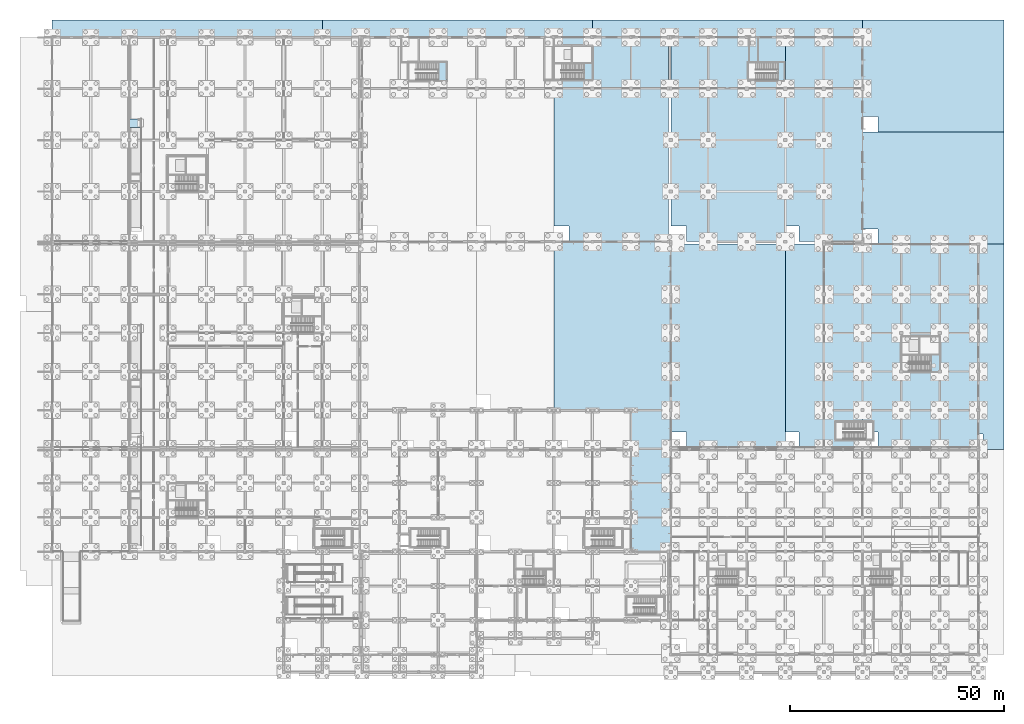
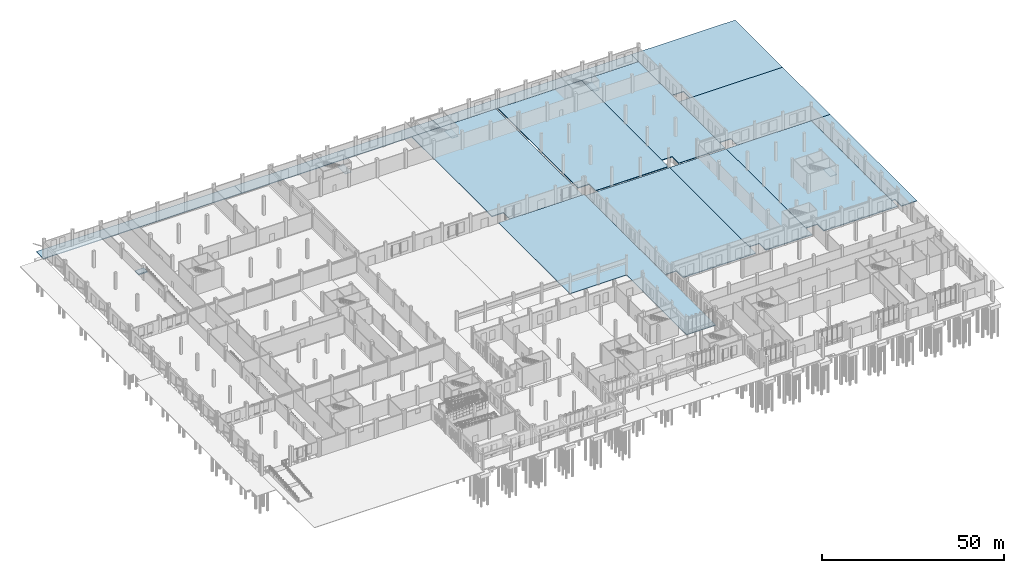
# One storey, part 51 of 99: 18 slabs, 5 elements without a shape of their own.
"""IFC4 building model written with IfcOpenShell, lengths in metres."""

import ifcopenshell
import ifcopenshell.guid

model = None  # the IFC model being written
_history = None  # IfcOwnerHistory: only IFC2X3 demands one
_inside = {}  # id of a spatial element -> (the spatial element, [elements in it])
_under = {}  # id of a project, library or spatial element -> (it, [spatial elements below it])
_declared = {}  # id of a project -> (the project, [libraries it declares])
_typed = {}  # id of a type object -> (the type object, [elements of that type])
_made_of = {}  # id of a material, layer set ... -> (it, [elements and type objects made of it])


def new_model(schema):
    """Start an empty IFC model of exactly this schema.

    Asked for "IFC4X3", IfcOpenShell would pick the latest addendum, in which some entities
    have other attributes; the version numbers below select the first issue.
    IFC2X3 requires an IfcOwnerHistory on every rooted entity: one is made here for all.
    """
    global model, _history
    if schema == "IFC4X3":
        model = ifcopenshell.file(schema_version=(4, 3, 0, 0))
    else:
        model = ifcopenshell.file(schema=schema)
    _inside.clear()
    _under.clear()
    _declared.clear()
    _typed.clear()
    _made_of.clear()
    _history = None
    if model.schema == "IFC2X3":
        org = make("IfcOrganization", Name="unknown")
        user = make(
            "IfcPersonAndOrganization",
            ThePerson=make("IfcPerson", FamilyName="unknown"),
            TheOrganization=org,
        )
        app = make(
            "IfcApplication",
            ApplicationDeveloper=org,
            Version="unknown",
            ApplicationFullName="unknown",
            ApplicationIdentifier="unknown",
        )
        _history = make(
            "IfcOwnerHistory",
            OwningUser=user,
            OwningApplication=app,
            ChangeAction="ADDED",
            CreationDate=0,
        )
    return model


def make(cls, **values):
    """One entity of the class cls with the attributes given. An attribute that is None is left unset."""
    return model.create_entity(
        cls, **{name: value for name, value in values.items() if value is not None}
    )


def rooted(cls, **values):
    """An entity with a GlobalId (a new one), such as an element, a storey or a relation."""
    return make(cls, GlobalId=ifcopenshell.guid.new(), OwnerHistory=_history, **values)


def si_unit(unit_type, name, prefix=None):
    """IfcSIUnit, for example si_unit("LENGTHUNIT", "METRE", prefix="MILLI")."""
    return make("IfcSIUnit", UnitType=unit_type, Prefix=prefix, Name=name)


def assignment(units):
    """IfcUnitAssignment: the units of a project."""
    return None if units is None else make("IfcUnitAssignment", Units=units)


def point(xyz):
    """IfcCartesianPoint."""
    return None if xyz is None else make("IfcCartesianPoint", Coordinates=xyz)


def direction(xyz):
    """IfcDirection."""
    return None if xyz is None else make("IfcDirection", DirectionRatios=xyz)


def frame(location, z_axis=None, x_axis=None):
    """IfcAxis2Placement3D, a coordinate frame: its origin and axes. An axis left out is left unset."""
    return make(
        "IfcAxis2Placement3D",
        Location=point(location),
        Axis=direction(z_axis),
        RefDirection=direction(x_axis),
    )


def origin():
    """The frame at (0, 0, 0) with its axes left unset."""
    return frame((0.0, 0.0, 0.0))


def place(relative_to, where):
    """IfcLocalPlacement: puts the frame where relative to a parent placement (None: the world)."""
    return make(
        "IfcLocalPlacement", PlacementRelTo=relative_to, RelativePlacement=where
    )


def context(
    kind, dimensions, precision=None, world=None, true_north=None, identifier=None
):
    """IfcGeometricRepresentationContext, for example the 3D "Model" context."""
    return make(
        "IfcGeometricRepresentationContext",
        ContextIdentifier=identifier,
        ContextType=kind,
        CoordinateSpaceDimension=dimensions,
        Precision=precision,
        WorldCoordinateSystem=world,
        TrueNorth=true_north,
    )


def subcontext(parent, identifier, kind, view, scale=None):
    """IfcGeometricRepresentationSubContext, for example "Body" below "Model"."""
    return make(
        "IfcGeometricRepresentationSubContext",
        ContextIdentifier=identifier,
        ContextType=kind,
        ParentContext=parent,
        TargetScale=scale,
        TargetView=view,
    )


def project(units=None, contexts=None):
    """IfcProject with its units and contexts."""
    return rooted(
        "IfcProject",
        Name="project",
        RepresentationContexts=contexts,
        UnitsInContext=assignment(units),
    )


def spatial(cls, under=None, at=None, **own):
    """A site, building, storey or space (cls), placed at a placement, below another one or the project."""
    s = rooted(cls, ObjectPlacement=at, **own)
    if under is not None:
        _under.setdefault(under.id(), (under, []))[1].append(s)
    return s


def polyline(points):
    """IfcPolyline through the points."""
    return make("IfcPolyline", Points=[point(p) for p in points])


def outline(outer, holes=None, kind="AREA"):
    """IfcArbitraryClosedProfileDef: a profile drawn as a closed curve; with holes, ...WithVoids."""
    if holes is None:
        return make("IfcArbitraryClosedProfileDef", ProfileType=kind, OuterCurve=outer)
    return make(
        "IfcArbitraryProfileDefWithVoids",
        ProfileType=kind,
        OuterCurve=outer,
        InnerCurves=holes,
    )


def extrude(swept, where, along, depth):
    """IfcExtrudedAreaSolid: the profile swept, set in the frame where, extruded along a direction by depth."""
    return make(
        "IfcExtrudedAreaSolid",
        SweptArea=swept,
        Position=where,
        ExtrudedDirection=direction(along),
        Depth=depth,
    )


def shape(context_of_items, identifier, shape_type, items):
    """IfcShapeRepresentation: the items that make up one representation, for example the "Body"."""
    return make(
        "IfcShapeRepresentation",
        ContextOfItems=context_of_items,
        RepresentationIdentifier=identifier,
        RepresentationType=shape_type,
        Items=items,
    )


def material(Name=None, Category=None):
    """IfcMaterial."""
    return make("IfcMaterial", Name=Name, Category=Category)


def layer(
    of_material, thickness, ventilated=None, Name=None, Category=None, Priority=None
):
    """IfcMaterialLayer: one layer of a wall or slab, of a material (None: an air gap)."""
    return make(
        "IfcMaterialLayer",
        Material=of_material,
        LayerThickness=thickness,
        IsVentilated=ventilated,
        Name=Name,
        Category=Category,
        Priority=Priority,
    )


def layer_set(layers, Name=None):
    """IfcMaterialLayerSet."""
    return make("IfcMaterialLayerSet", MaterialLayers=layers, LayerSetName=Name)


def made_of(thing, what):
    """Note that an element or type object is made of a material, layer set ...; save() writes the relation."""
    if what is not None:
        _made_of.setdefault(what.id(), (what, []))[1].append(thing)
    return thing


def type_object(cls, material=None, **own):
    """A type object (cls), such as IfcWallType, which elements share."""
    return made_of(rooted(cls, **own), material)


def element(
    cls,
    number,
    at=None,
    inside=None,
    cuts=None,
    type_object=None,
    material=None,
    context=None,
    identifier="Body",
    shape_type=None,
    held_by="IfcProductDefinitionShape",
    body=None,
    shapes=None,
    **own,
):
    """One element of the class cls, such as IfcWall. Its Tag is "e" and its number.

    at: its placement. inside: the storey or other place that contains it. cuts: it is an
    opening in that element (IfcRelVoidsElement). A single representation is given by context,
    identifier, shape_type and body (its items); several are given by shapes. held_by: the class
    of the entity that holds the representations. save() writes the other relations.
    """
    e = rooted(cls, Tag="e%d" % number, ObjectPlacement=at, **own)
    if body is not None:
        shapes = [shape(context, identifier, shape_type, body)]
    if shapes is not None:
        e.Representation = make(held_by, Representations=shapes)
    if inside is not None:
        _inside.setdefault(inside.id(), (inside, []))[1].append(e)
    if cuts is not None:
        rooted(
            "IfcRelVoidsElement", RelatingBuildingElement=cuts, RelatedOpeningElement=e
        )
    if type_object is not None:
        _typed.setdefault(type_object.id(), (type_object, []))[1].append(e)
    return made_of(e, material)


def aggregate(whole, parts):
    """IfcRelAggregates: a whole, such as a stair, and the parts it consists of."""
    return rooted("IfcRelAggregates", RelatingObject=whole, RelatedObjects=parts)


def save(model, path):
    """Write the relations noted so far, then the file.

    IfcRelAggregates (storeys below a building ...), IfcRelContainedInSpatialStructure (elements
    in a storey), IfcRelDefinesByType, IfcRelAssociatesMaterial and IfcRelDeclares: one each for
    every whole, place, type object, material and project.
    """
    for whole, parts in _under.values():
        aggregate(whole, parts)
    for where, things in _inside.values():
        rooted(
            "IfcRelContainedInSpatialStructure",
            RelatedElements=things,
            RelatingStructure=where,
        )
    for kind, things in _typed.values():
        rooted("IfcRelDefinesByType", RelatedObjects=things, RelatingType=kind)
    for what, things in _made_of.values():
        rooted("IfcRelAssociatesMaterial", RelatedObjects=things, RelatingMaterial=what)
    for by, libraries in _declared.values():
        rooted("IfcRelDeclares", RelatingContext=by, RelatedDefinitions=libraries)
    model.write(path)


model = new_model("IFC4")

# Units and contexts
model_context = context("Model", 3, precision=1e-05, world=origin(), true_north=direction((0.0, 1.0)))
body_context = subcontext(model_context, "Body", "Model", "MODEL_VIEW")
ifc_project = project(units=[si_unit("LENGTHUNIT", "METRE"), si_unit("AREAUNIT", "SQUARE_METRE"), si_unit("VOLUMEUNIT", "CUBIC_METRE"), si_unit("PLANEANGLEUNIT", "RADIAN"), si_unit("MASSUNIT", "GRAM", prefix="KILO")], contexts=[model_context])

# Site, building, storey
site_placement = place(None, origin())
site = spatial("IfcSite", under=ifc_project, at=site_placement, CompositionType="ELEMENT")
building_placement = place(site_placement, origin())
building = spatial("IfcBuilding", under=site, at=building_placement, Name="Zacnel Wholesale Market", CompositionType="ELEMENT")
storey_placement = place(building_placement, origin())
storey = spatial("IfcBuildingStorey", under=building, at=storey_placement, Name="L01", CompositionType="ELEMENT", Elevation=0.0)

# Slabs
ifc_material_1 = material(Name="Concrete C35/45", Category="concrete")
ifc_layer_1 = layer(ifc_material_1, 0.219970703125)
ifc_layer_set_1 = layer_set([ifc_layer_1], Name="Concrete C35/45")
slab_type_1 = type_object("IfcSlabType", Name="SLB-BASE-220", PredefinedType="BASESLAB", material=ifc_layer_set_1)
slab_1_placement = place(storey_placement, frame((0.0, 0.0, -0.219970703125)))
element("IfcSlab", 1, at=slab_1_placement, inside=storey, type_object=slab_type_1, Name="Structural slab SLB-L01-COURT-C-P3", PredefinedType="BASESLAB", context=body_context, shape_type="SweptSolid", body=[
    extrude(outline(polyline([(144.300048828125, 96.300048828125), (144.300048828125, 24.0), (135.0, 24.0), (135.0, 57.0), (117.0, 57.0), (117.0, 96.300048828125), (144.300048828125, 96.300048828125)])), origin(), (0.0, 0.0, 1.0), 0.219970703125),
])
slab_2_placement = place(storey_placement, frame((0.0, 0.0, -0.219970703125)))
element("IfcSlab", 2, at=slab_2_placement, inside=storey, type_object=slab_type_1, Name="Structural slab SLB-L01-PROM-E-P2", PredefinedType="BASESLAB", context=body_context, shape_type="SweptSolid", body=[
    extrude(outline(polyline([(217.080078125, 47.85009765625), (222.0, 47.85009765625), (222.0, 95.699951171875), (216.0, 95.699951171875), (216.0, 51.449951171875), (217.080078125, 51.449951171875), (217.080078125, 47.85009765625)])), origin(), (0.0, 0.0, 1.0), 0.219970703125),
])
slab_3_placement = place(storey_placement, frame((0.0, 0.0, -0.219970703125)))
element("IfcSlab", 3, at=slab_3_placement, inside=storey, type_object=slab_type_1, Name="Structural slab SLB-L01-PROM-N-P1", PredefinedType="BASESLAB", context=body_context, shape_type="SweptSolid", body=[
    extrude(outline(polyline([(63.0, 148.0), (63.0, 144.0), (0.0, 144.0), (0.0, 148.0), (63.0, 148.0)])), origin(), (0.0, 0.0, 1.0), 0.219970703125),
])
slab_4_placement = place(storey_placement, frame((0.0, 0.0, -0.219970703125)))
element("IfcSlab", 4, at=slab_4_placement, inside=storey, type_object=slab_type_1, Name="Structural slab SLB-L01-PROM-N-P2", PredefinedType="BASESLAB", context=body_context, shape_type="SweptSolid", body=[
    extrude(outline(polyline([(126.0, 148.0), (126.0, 144.0), (63.0, 144.0), (63.0, 148.0), (126.0, 148.0)])), origin(), (0.0, 0.0, 1.0), 0.219970703125),
])
slab_5_placement = place(storey_placement, frame((0.0, 0.0, -0.219970703125)))
element("IfcSlab", 5, at=slab_5_placement, inside=storey, type_object=slab_type_1, Name="Structural slab SLB-L01-PROM-N-P3", PredefinedType="BASESLAB", context=body_context, shape_type="SweptSolid", body=[
    extrude(outline(polyline([(189.0, 144.0), (126.0, 144.0), (126.0, 148.0), (189.0, 148.0), (189.0, 144.0)])), origin(), (0.0, 0.0, 1.0), 0.219970703125),
])
ifc_material_2 = material(Name="Concrete C35/45", Category="concrete")
ifc_layer_2 = layer(ifc_material_2, 0.239990234375)
ifc_layer_set_2 = layer_set([ifc_layer_2], Name="Concrete C35/45")
slab_type_2 = type_object("IfcSlabType", Name="SLB-BASE-240", PredefinedType="BASESLAB", material=ifc_layer_set_2)
slab_6_placement = place(storey_placement, frame((0.0, 0.0, -0.239990234375)))
element("IfcSlab", 6, at=slab_6_placement, inside=storey, type_object=slab_type_2, Name="Structural slab SLB-L01-YARD-NE-P1", PredefinedType="BASESLAB", context=body_context, shape_type="SweptSolid", body=[
    extrude(outline(polyline([(192.60009765625, 95.699951171875), (222.0, 95.699951171875), (222.0, 121.85009765625), (189.0, 121.85009765625), (189.0, 99.300048828125), (192.60009765625, 99.300048828125), (192.60009765625, 95.699951171875)])), origin(), (0.0, 0.0, 1.0), 0.239990234375),
])
slab_7_placement = place(storey_placement, frame((0.0, 0.0, -0.239990234375)))
element("IfcSlab", 7, at=slab_7_placement, inside=storey, type_object=slab_type_2, Name="Structural slab SLB-L01-YARD-NE-P2", PredefinedType="BASESLAB", context=body_context, shape_type="SweptSolid", body=[
    extrude(outline(polyline([(192.60009765625, 121.85009765625), (222.0, 121.85009765625), (222.0, 148.0), (189.0, 148.0), (189.0, 125.449951171875), (192.60009765625, 125.449951171875), (192.60009765625, 121.85009765625)])), origin(), (0.0, 0.0, 1.0), 0.239990234375),
])
ifc_material_3 = material(Name="Concrete C35/45", Category="concrete")
ifc_layer_3 = layer(ifc_material_3, 0.260009765625)
ifc_layer_set_3 = layer_set([ifc_layer_3], Name="Concrete C35/45")
slab_type_3 = type_object("IfcSlabType", Name="SLB-BASE-260", PredefinedType="BASESLAB", material=ifc_layer_set_3)
slab_8_placement = place(storey_placement, frame((0.0, 0.0, -0.260009765625)))
element("IfcSlab", 8, at=slab_8_placement, inside=storey, type_object=slab_type_3, Name="Structural slab SLB-L01-V1N-W-P3", PredefinedType="BASESLAB", context=body_context, shape_type="SweptSolid", body=[
    extrude(outline(polyline([(120.60009765625, 96.300048828125), (143.699951171875, 96.300048828125), (143.699951171875, 144.0), (117.0, 144.0), (117.0, 99.89990234375), (120.60009765625, 99.89990234375), (120.60009765625, 96.300048828125)])), origin(), (0.0, 0.0, 1.0), 0.260009765625),
])
slab_9_placement = place(storey_placement, frame((0.0, 0.0, -0.260009765625)))
element("IfcSlab", 9, at=slab_9_placement, inside=storey, type_object=slab_type_3, Name="Structural slab SLB-L01-V1N-E-P1", PredefinedType="BASESLAB", context=body_context, shape_type="SweptSolid", body=[
    extrude(outline(polyline([(147.89990234375, 96.300048828125), (171.0, 96.300048828125), (171.0, 144.0), (144.300048828125, 144.0), (144.300048828125, 99.89990234375), (147.89990234375, 99.89990234375), (147.89990234375, 96.300048828125)])), origin(), (0.0, 0.0, 1.0), 0.260009765625),
])
slab_10_placement = place(storey_placement, frame((0.0, 0.0, -0.260009765625)))
element("IfcSlab", 10, at=slab_10_placement, inside=storey, type_object=slab_type_3, Name="Structural slab SLB-L01-V1N-E-P2", PredefinedType="BASESLAB", context=body_context, shape_type="SweptSolid", body=[
    extrude(outline(polyline([(174.239990234375, 96.300048828125), (189.0, 96.300048828125), (189.0, 144.0), (171.0, 144.0), (171.0, 99.89990234375), (174.239990234375, 99.89990234375), (174.239990234375, 96.300048828125)])), origin(), (0.0, 0.0, 1.0), 0.260009765625),
])
slab_11_placement = place(storey_placement, frame((0.0, 0.0, -0.260009765625)))
element("IfcSlab", 11, at=slab_11_placement, inside=storey, type_object=slab_type_3, Name="Structural slab SLB-L01-V1E-P1", PredefinedType="BASESLAB", context=body_context, shape_type="SweptSolid", body=[
    extrude(outline(polyline([(147.89990234375, 48.300048828125), (171.0, 48.300048828125), (171.0, 95.699951171875), (144.300048828125, 95.699951171875), (144.300048828125, 51.89990234375), (147.89990234375, 51.89990234375), (147.89990234375, 48.300048828125)])), origin(), (0.0, 0.0, 1.0), 0.260009765625),
])
slab_12_placement = place(storey_placement, frame((0.0, 0.0, -0.260009765625)))
element("IfcSlab", 12, at=slab_12_placement, inside=storey, type_object=slab_type_3, Name="Structural slab SLB-L01-V1E-P2", PredefinedType="BASESLAB", context=body_context, shape_type="SweptSolid", body=[
    extrude(outline(polyline([(174.239990234375, 48.300048828125), (189.0, 48.300048828125), (189.0, 95.699951171875), (171.0, 95.699951171875), (171.0, 51.89990234375), (174.239990234375, 51.89990234375), (174.239990234375, 48.300048828125)])), origin(), (0.0, 0.0, 1.0), 0.260009765625),
])
slab_13_placement = place(storey_placement, frame((0.0, 0.0, -0.260009765625)))
element("IfcSlab", 13, at=slab_13_placement, inside=storey, type_object=slab_type_3, Name="Structural slab SLB-L01-V1E-P3", PredefinedType="BASESLAB", context=body_context, shape_type="SweptSolid", body=[
    extrude(outline(polyline([(192.60009765625, 48.300048828125), (216.0, 48.300048828125), (216.0, 95.699951171875), (189.0, 95.699951171875), (189.0, 51.89990234375), (192.60009765625, 51.89990234375), (192.60009765625, 48.300048828125)])), origin(), (0.0, 0.0, 1.0), 0.260009765625),
])

# Stair, slab
ifc_material_4 = material(Name="Precast concrete C45/55", Category="concrete")
stair_type = type_object("IfcStairType", Name="STR-DOGLEG-1550", PredefinedType="HALF_TURN_STAIR", material=ifc_material_4)
stair_1_placement = place(storey_placement, origin())
stair_1 = element("IfcStair", 14, at=stair_1_placement, inside=storey, type_object=stair_type, Name="Stair ST-14 (L01)", PredefinedType="HALF_TURN_STAIR")
ifc_material_5 = material(Name="Precast concrete C45/55", Category="concrete")
ifc_layer_4 = layer(ifc_material_5, 0.199951171875)
ifc_layer_set_4 = layer_set([ifc_layer_4], Name="Precast concrete C45/55")
slab_type_4 = type_object("IfcSlabType", Name="SLB-LAND-200", PredefinedType="LANDING", material=ifc_layer_set_4)
slab_14_placement = place(storey_placement, frame((0.0, 0.0, 2.949951171875)))
slab_14 = element("IfcSlab", 15, at=slab_14_placement, type_object=slab_type_4, Name="ST-14 landing 1", PredefinedType="LANDING", context=body_context, shape_type="SweptSolid", body=[
    extrude(outline(polyline([(123.909912109375, 133.989990234375), (126.010009765625, 133.989990234375), (126.010009765625, 137.9599609375), (123.909912109375, 137.9599609375), (123.909912109375, 133.989990234375)])), origin(), (0.0, 0.0, 1.0), 0.199951171875),
])
aggregate(stair_1, [slab_14])

stair_2_placement = place(storey_placement, origin())
stair_2 = element("IfcStair", 16, at=stair_2_placement, inside=storey, type_object=stair_type, Name="Stair ST-15 (L01)", PredefinedType="HALF_TURN_STAIR")
slab_15_placement = place(storey_placement, frame((0.0, 0.0, 2.949951171875)))
slab_15 = element("IfcSlab", 17, at=slab_15_placement, type_object=slab_type_4, Name="ST-15 landing 1", PredefinedType="LANDING", context=body_context, shape_type="SweptSolid", body=[
    extrude(outline(polyline([(204.909912109375, 65.989990234375), (207.010009765625, 65.989990234375), (207.010009765625, 69.9599609375), (204.909912109375, 69.9599609375), (204.909912109375, 65.989990234375)])), origin(), (0.0, 0.0, 1.0), 0.199951171875),
])
aggregate(stair_2, [slab_15])

stair_3_placement = place(storey_placement, origin())
stair_3 = element("IfcStair", 18, at=stair_3_placement, inside=storey, type_object=stair_type, Name="Stair ST-20 (L01)", PredefinedType="HALF_TURN_STAIR")
slab_16_placement = place(storey_placement, frame((0.0, 0.0, 2.949951171875)))
slab_16 = element("IfcSlab", 19, at=slab_16_placement, type_object=slab_type_4, Name="ST-20 landing 1", PredefinedType="LANDING", context=body_context, shape_type="SweptSolid", body=[
    extrude(outline(polyline([(89.97998046875, 133.860107421875), (91.93994140625, 133.860107421875), (91.93994140625, 138.139892578125), (89.97998046875, 138.139892578125), (89.97998046875, 133.860107421875)])), origin(), (0.0, 0.0, 1.0), 0.199951171875),
])
aggregate(stair_3, [slab_16])

stair_4_placement = place(storey_placement, origin())
stair_4 = element("IfcStair", 20, at=stair_4_placement, inside=storey, type_object=stair_type, Name="Stair ST-21 (L01)", PredefinedType="HALF_TURN_STAIR")
slab_17_placement = place(storey_placement, frame((0.0, 0.0, 2.949951171875)))
slab_17 = element("IfcSlab", 21, at=slab_17_placement, type_object=slab_type_4, Name="ST-21 landing 1", PredefinedType="LANDING", context=body_context, shape_type="SweptSolid", body=[
    extrude(outline(polyline([(169.179931640625, 133.860107421875), (170.739990234375, 133.860107421875), (170.739990234375, 138.139892578125), (169.179931640625, 138.139892578125), (169.179931640625, 133.860107421875)])), origin(), (0.0, 0.0, 1.0), 0.199951171875),
])
aggregate(stair_4, [slab_17])

# Ramp, slab
ifc_material_6 = material(Name="Precast concrete C45/55", Category="concrete")
ramp_type = type_object("IfcRampType", Name="RMP-STR-RUN-2400", PredefinedType="STRAIGHT_RUN_RAMP", material=ifc_material_6)
ramp_placement = place(storey_placement, origin())
ramp = element("IfcRamp", 22, at=ramp_placement, inside=storey, type_object=ramp_type, Name="Accessible ramp RP-01 (RMP-DOCK-N)", PredefinedType="STRAIGHT_RUN_RAMP")
ifc_material_7 = material(Name="Precast concrete C45/55", Category="concrete")
ifc_layer_5 = layer(ifc_material_7, 0.39990234375)
ifc_layer_set_5 = layer_set([ifc_layer_5], Name="Precast concrete C45/55")
slab_type_5 = type_object("IfcSlabType", Name="SLB-LAND-400", PredefinedType="LANDING", material=ifc_layer_set_5)
slab_18_placement = place(storey_placement, frame((0.0, 0.0, 0.824951171875)))
slab_18 = element("IfcSlab", 23, at=slab_18_placement, type_object=slab_type_5, Name="Accessible ramp RP-01 (RMP-DOCK-N) landing 2", PredefinedType="LANDING", context=body_context, shape_type="SweptSolid", body=[
    extrude(outline(polyline([(18.0, 122.949951171875), (20.800048828125, 122.949951171875), (20.800048828125, 124.949951171875), (18.0, 124.949951171875), (18.0, 122.949951171875)])), origin(), (0.0, 0.0, 1.0), 0.400146484375),
])
aggregate(ramp, [slab_18])

save(model, "model.ifc")
